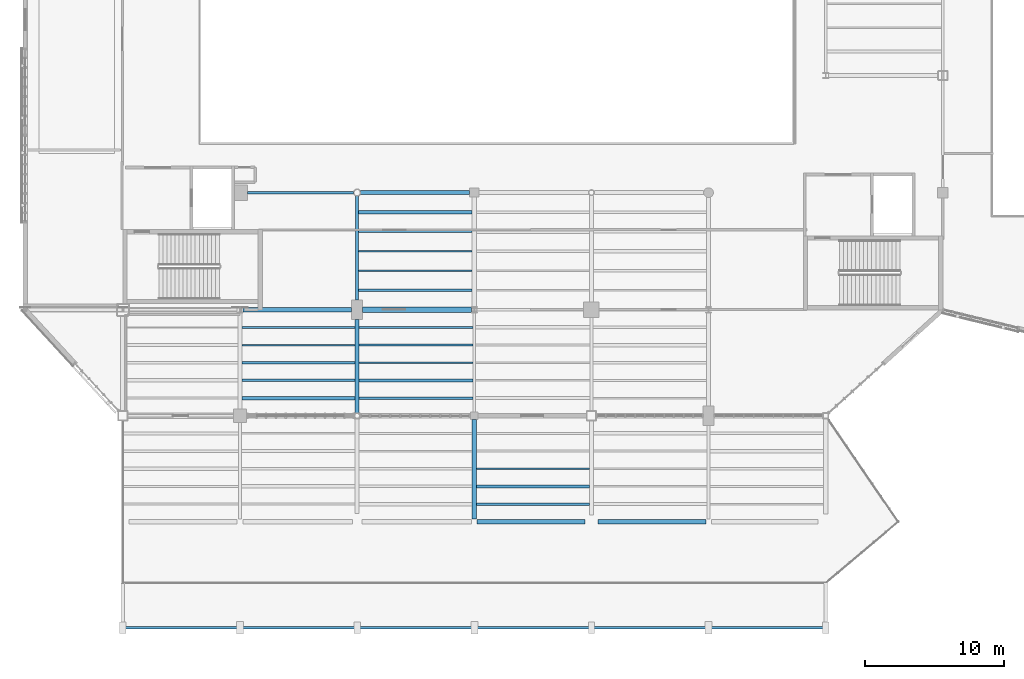
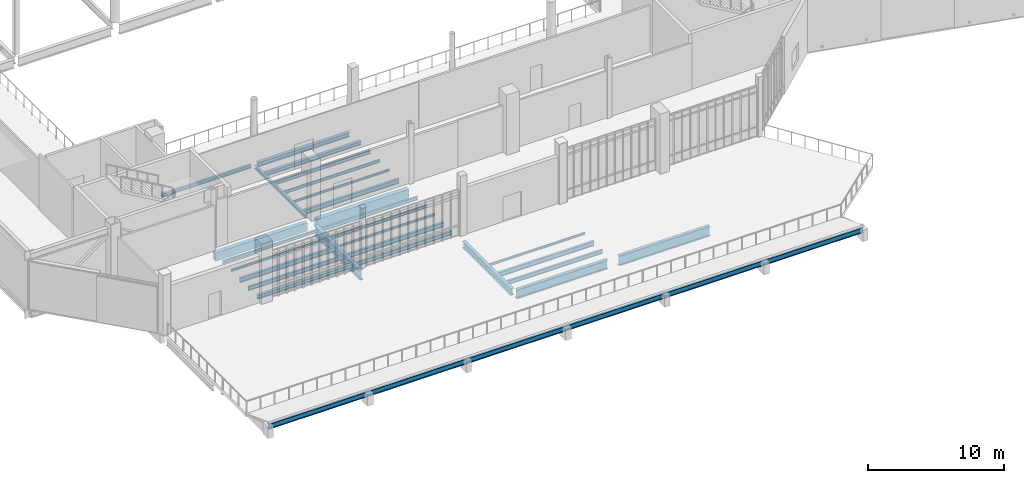
# One storey, part 17 of 127: 28 beams.
"""IFC4 building model written with IfcOpenShell, lengths in metres."""

from ifc_helpers import new_model, si_unit, direction, frame, origin, origin_2d, place, context, subcontext, project, spatial, rectangle, i_section, extrude, material, material_profile, profile_set, type_object, element, save


model = new_model("IFC4")

# Units and contexts
model_context = context("Model", 3, precision=1e-05, world=origin(), true_north=direction((0.0, 1.0)))
body_context = subcontext(model_context, "Body", "Model", "MODEL_VIEW")
ifc_project = project(units=[si_unit("LENGTHUNIT", "METRE"), si_unit("AREAUNIT", "SQUARE_METRE"), si_unit("VOLUMEUNIT", "CUBIC_METRE"), si_unit("PLANEANGLEUNIT", "RADIAN"), si_unit("MASSUNIT", "GRAM", prefix="KILO")], contexts=[model_context])

# Site, building, storey
site_placement = place(None, origin())
site = spatial("IfcSite", under=ifc_project, at=site_placement, CompositionType="ELEMENT")
building_placement = place(site_placement, origin())
building = spatial("IfcBuilding", under=site, at=building_placement, Name="Larkvane Passage Sports Hall", CompositionType="ELEMENT")
storey_placement = place(building_placement, frame((0.0, 0.0, 5.39990234375)))
storey = spatial("IfcBuildingStorey", under=building, at=storey_placement, Name="L01", CompositionType="ELEMENT", Elevation=5.39990234375)

# Beams
ifc_material_1 = material(Name="Steel S355JR", Category="steel")
ifc_material_profile_1 = material_profile(ifc_material_1, i_section(OverallWidth=0.199951171875, OverallDepth=0.2939453125, WebThickness=0.008056640625, FlangeThickness=0.011962890625, FilletRadius=0.012939453125, at=origin_2d()), Name="H-294x200x8x12")
ifc_profile_set_1 = profile_set([ifc_material_profile_1], Name="Steel S355JR")
beam_type_1 = type_object("IfcBeamType", Name="BM-STL-H294", PredefinedType="BEAM", material=ifc_profile_set_1)
beam_1_placement = place(storey_placement, frame((43.75, 31.199951171875, -0.56689453125), z_axis=(1.0, 0.0, 0.0), x_axis=(0.0, 1.0, 0.0)))
element("IfcBeam", 1, at=beam_1_placement, inside=storey, type_object=beam_type_1, Name="Girder BM5-X-L01-E-0391", PredefinedType="BEAM", context=body_context, shape_type="SweptSolid", body=[
    extrude(i_section(OverallWidth=0.199951171875, OverallDepth=0.2939453125, WebThickness=0.008056640625, FlangeThickness=0.011962890625, FilletRadius=0.012939453125, at=origin_2d()), origin(), (0.0, 0.0, 1.0), 7.595947265625),
])
beam_2_placement = place(storey_placement, frame((51.60009765625, 23.5, -0.56689453125), z_axis=(0.0, 1.0, 0.0), x_axis=(-1.0, 0.0, 0.0)))
element("IfcBeam", 2, at=beam_2_placement, inside=storey, type_object=beam_type_1, Name="Girder BM5-Y-L01-8-0456", PredefinedType="BEAM", context=body_context, shape_type="SweptSolid", body=[
    extrude(i_section(OverallWidth=0.199951171875, OverallDepth=0.2939453125, WebThickness=0.008056640625, FlangeThickness=0.011962890625, FilletRadius=0.012939453125, at=origin_2d()), origin(), (0.0, 0.0, 1.0), 7.446044921875),
])
ifc_material_profile_2 = material_profile(ifc_material_1, i_section(OverallWidth=0.300048828125, OverallDepth=0.389892578125, WebThickness=0.010009765625, FlangeThickness=0.01611328125, FilletRadius=0.01806640625, at=origin_2d()), Name="H-390x300x10x16")
ifc_profile_set_2 = profile_set([ifc_material_profile_2], Name="Steel S355JR")
beam_type_2 = type_object("IfcBeamType", Name="BM-STL-H390", PredefinedType="BEAM", material=ifc_profile_set_2)
beam_3_placement = place(storey_placement, frame((51.85400390625, 31.199951171875, -0.614990234375), z_axis=(1.0, 0.0, 0.0), x_axis=(0.0, 1.0, 0.0)))
element("IfcBeam", 3, at=beam_3_placement, inside=storey, type_object=beam_type_2, Name="Girder BM5-X-L01-E-0392", PredefinedType="BEAM", context=body_context, shape_type="SweptSolid", body=[
    extrude(i_section(OverallWidth=0.300048828125, OverallDepth=0.389892578125, WebThickness=0.010009765625, FlangeThickness=0.01611328125, FilletRadius=0.01806640625, at=origin_2d()), origin(), (0.0, 0.0, 1.0), 7.821044921875),
])
ifc_material_2 = material(Name="Steel S460N", Category="steel")
ifc_material_profile_3 = material_profile(ifc_material_2, i_section(OverallWidth=0.300048828125, OverallDepth=0.587890625, WebThickness=0.011962890625, FlangeThickness=0.02001953125, FilletRadius=0.02197265625, at=origin_2d()), Name="H-588x300x12x20")
ifc_profile_set_3 = profile_set([ifc_material_profile_3], Name="Steel S460N")
beam_type_3 = type_object("IfcBeamType", Name="BM-STL-H588", PredefinedType="BEAM", material=ifc_profile_set_3)
beam_4_placement = place(storey_placement, frame((60.0, 7.806884765625, -0.7138671875), z_axis=(0.0, 1.0, 0.0), x_axis=(-1.0, 0.0, 0.0)))
element("IfcBeam", 4, at=beam_4_placement, inside=storey, type_object=beam_type_3, Name="Girder BM5-Y-L01-9-0461", PredefinedType="BEAM", context=body_context, shape_type="SweptSolid", body=[
    extrude(i_section(OverallWidth=0.300048828125, OverallDepth=0.587890625, WebThickness=0.011962890625, FlangeThickness=0.02001953125, FilletRadius=0.02197265625, at=origin_2d()), origin(), (0.0, 0.0, 1.0), 7.1181640625),
])
ifc_material_profile_4 = material_profile(ifc_material_2, i_section(OverallWidth=0.300048828125, OverallDepth=0.800048828125, WebThickness=0.013916015625, FlangeThickness=0.02587890625, FilletRadius=0.02197265625, at=origin_2d()), Name="H-800x300x14x26")
ifc_profile_set_4 = profile_set([ifc_material_profile_4], Name="Steel S460N")
beam_type_4 = type_object("IfcBeamType", Name="BM-STL-H800", PredefinedType="BEAM", material=ifc_profile_set_4)
beam_5_placement = place(storey_placement, frame((60.202392578125, 7.60009765625, -0.81982421875), z_axis=(1.0, 0.0, 0.0), x_axis=(0.0, 1.0, 0.0)))
element("IfcBeam", 5, at=beam_5_placement, inside=storey, type_object=beam_type_4, Name="Girder BM5-X-L01-B-0375", PredefinedType="BEAM", context=body_context, shape_type="SweptSolid", body=[
    extrude(i_section(OverallWidth=0.300048828125, OverallDepth=0.800048828125, WebThickness=0.013916015625, FlangeThickness=0.02587890625, FilletRadius=0.02197265625, at=origin_2d()), origin(), (0.0, 0.0, 1.0), 7.72265625),
])
ifc_material_profile_5 = material_profile(ifc_material_2, i_section(OverallWidth=0.299072265625, OverallDepth=0.889892578125, WebThickness=0.014892578125, FlangeThickness=0.02294921875, FilletRadius=0.02197265625, at=origin_2d()), Name="H-890x299x15x23")
ifc_profile_set_5 = profile_set([ifc_material_profile_5], Name="Steel S460N")
beam_type_5 = type_object("IfcBeamType", Name="BM-STL-H890", PredefinedType="BEAM", material=ifc_profile_set_5)
beam_6_placement = place(storey_placement, frame((68.875, 7.60009765625, -0.864990234375), z_axis=(1.0, 0.0, 0.0), x_axis=(0.0, 1.0, 0.0)))
element("IfcBeam", 6, at=beam_6_placement, inside=storey, type_object=beam_type_5, Name="Girder BM5-X-L01-B-0376", PredefinedType="BEAM", context=body_context, shape_type="SweptSolid", body=[
    extrude(i_section(OverallWidth=0.299072265625, OverallDepth=0.889892578125, WebThickness=0.014892578125, FlangeThickness=0.02294921875, FilletRadius=0.02197265625, at=origin_2d()), origin(), (0.0, 0.0, 1.0), 7.72509765625),
])
ifc_material_profile_6 = material_profile(ifc_material_2, i_section(OverallWidth=0.300048828125, OverallDepth=0.89990234375, WebThickness=0.01611328125, FlangeThickness=0.028076171875, FilletRadius=0.02197265625, at=origin_2d()), Name="H-900x300x16x28")
ifc_profile_set_6 = profile_set([ifc_material_profile_6], Name="Steel S460N")
beam_type_6 = type_object("IfcBeamType", Name="BM-STL-H900", PredefinedType="BEAM", material=ifc_profile_set_6)
beam_7_placement = place(storey_placement, frame((51.60009765625, 15.4033203125, -0.869873046875), z_axis=(0.0, 1.0, 0.0), x_axis=(-1.0, 0.0, 0.0)))
element("IfcBeam", 7, at=beam_7_placement, inside=storey, type_object=beam_type_6, Name="Girder BM5-Y-L01-8-0455", PredefinedType="BEAM", context=body_context, shape_type="SweptSolid", body=[
    extrude(i_section(OverallWidth=0.300048828125, OverallDepth=0.89990234375, WebThickness=0.01611328125, FlangeThickness=0.028076171875, FilletRadius=0.02197265625, at=origin_2d()), origin(), (0.0, 0.0, 1.0), 6.69677734375),
])
ifc_material_profile_7 = material_profile(ifc_material_1, i_section(OverallWidth=0.10009765625, OverallDepth=0.199951171875, WebThickness=0.005615234375, FlangeThickness=0.008056640625, FilletRadius=0.008056640625, at=origin_2d()), Name="H-200x100x5.5x8")
ifc_profile_set_7 = profile_set([ifc_material_profile_7], Name="Steel S355JR")
beam_type_7 = type_object("IfcBeamType", Name="JST-STL-H200", PredefinedType="JOIST", material=ifc_profile_set_7)
beam_8_placement = place(storey_placement, frame((43.35009765625, 20.2666015625, -0.52001953125), z_axis=(1.0, 0.0, 0.0), x_axis=(0.0, 1.0, 0.0)))
element("IfcBeam", 8, at=beam_8_placement, inside=storey, type_object=beam_type_7, Name="Composite joist L01 7/C-4", PredefinedType="JOIST", context=body_context, shape_type="SweptSolid", body=[
    extrude(i_section(OverallWidth=0.10009765625, OverallDepth=0.199951171875, WebThickness=0.005615234375, FlangeThickness=0.008056640625, FilletRadius=0.008056640625, at=origin_2d()), origin(), (0.0, 0.0, 1.0), 8.099853515625),
])
beam_9_placement = place(storey_placement, frame((51.75, 19.0, -0.52001953125), z_axis=(1.0, 0.0, 0.0), x_axis=(0.0, 1.0, 0.0)))
element("IfcBeam", 9, at=beam_9_placement, inside=storey, type_object=beam_type_7, Name="Composite joist L01 8/C-3", PredefinedType="JOIST", context=body_context, shape_type="SweptSolid", body=[
    extrude(i_section(OverallWidth=0.10009765625, OverallDepth=0.199951171875, WebThickness=0.005615234375, FlangeThickness=0.008056640625, FilletRadius=0.008056640625, at=origin_2d()), origin(), (0.0, 0.0, 1.0), 8.14990234375),
])
beam_10_placement = place(storey_placement, frame((51.699951171875, 25.60009765625, -0.52001953125), z_axis=(1.0, 0.0, 0.0), x_axis=(0.0, 1.0, 0.0)))
element("IfcBeam", 10, at=beam_10_placement, inside=storey, type_object=beam_type_7, Name="Composite joist L01 8/D-2", PredefinedType="JOIST", context=body_context, shape_type="SweptSolid", body=[
    extrude(i_section(OverallWidth=0.10009765625, OverallDepth=0.199951171875, WebThickness=0.005615234375, FlangeThickness=0.008056640625, FilletRadius=0.008056640625, at=origin_2d()), origin(), (0.0, 0.0, 1.0), 8.150146484375),
])
beam_11_placement = place(storey_placement, frame((60.14990234375, 11.39990234375, -0.52001953125), z_axis=(1.0, 0.0, 0.0), x_axis=(0.0, 1.0, 0.0)))
element("IfcBeam", 11, at=beam_11_placement, inside=storey, type_object=beam_type_7, Name="Composite joist L01 9/B-3", PredefinedType="JOIST", context=body_context, shape_type="SweptSolid", body=[
    extrude(i_section(OverallWidth=0.10009765625, OverallDepth=0.199951171875, WebThickness=0.005615234375, FlangeThickness=0.008056640625, FilletRadius=0.008056640625, at=origin_2d()), origin(), (0.0, 0.0, 1.0), 8.10009765625),
])
ifc_material_profile_8 = material_profile(ifc_material_1, i_section(OverallWidth=0.125, OverallDepth=0.25, WebThickness=0.006103515625, FlangeThickness=0.009033203125, FilletRadius=0.008056640625, at=origin_2d()), Name="H-250x125x6x9")
ifc_profile_set_8 = profile_set([ifc_material_profile_8], Name="Steel S355JR")
beam_type_8 = type_object("IfcBeamType", Name="JST-STL-H250", PredefinedType="JOIST", material=ifc_profile_set_8)
beam_12_placement = place(storey_placement, frame((43.35009765625, 21.533447265625, -0.544921875), z_axis=(1.0, 0.0, 0.0), x_axis=(0.0, 1.0, 0.0)))
element("IfcBeam", 12, at=beam_12_placement, inside=storey, type_object=beam_type_8, Name="Composite joist L01 7/C-5", PredefinedType="JOIST", context=body_context, shape_type="SweptSolid", body=[
    extrude(i_section(OverallWidth=0.125, OverallDepth=0.25, WebThickness=0.006103515625, FlangeThickness=0.009033203125, FilletRadius=0.008056640625, at=origin_2d()), origin(), (0.0, 0.0, 1.0), 8.099853515625),
])
beam_13_placement = place(storey_placement, frame((51.75, 20.2666015625, -0.544921875), z_axis=(1.0, 0.0, 0.0), x_axis=(0.0, 1.0, 0.0)))
element("IfcBeam", 13, at=beam_13_placement, inside=storey, type_object=beam_type_8, Name="Composite joist L01 8/C-4", PredefinedType="JOIST", context=body_context, shape_type="SweptSolid", body=[
    extrude(i_section(OverallWidth=0.125, OverallDepth=0.25, WebThickness=0.006103515625, FlangeThickness=0.009033203125, FilletRadius=0.008056640625, at=origin_2d()), origin(), (0.0, 0.0, 1.0), 8.14990234375),
])
beam_14_placement = place(storey_placement, frame((51.699951171875, 27.0, -0.544921875), z_axis=(1.0, 0.0, 0.0), x_axis=(0.0, 1.0, 0.0)))
element("IfcBeam", 14, at=beam_14_placement, inside=storey, type_object=beam_type_8, Name="Composite joist L01 8/D-3", PredefinedType="JOIST", context=body_context, shape_type="SweptSolid", body=[
    extrude(i_section(OverallWidth=0.125, OverallDepth=0.25, WebThickness=0.006103515625, FlangeThickness=0.009033203125, FilletRadius=0.008056640625, at=origin_2d()), origin(), (0.0, 0.0, 1.0), 8.150146484375),
])
ifc_material_profile_9 = material_profile(ifc_material_1, i_section(OverallWidth=0.14990234375, OverallDepth=0.300048828125, WebThickness=0.006591796875, FlangeThickness=0.009033203125, FilletRadius=0.012939453125, at=origin_2d()), Name="H-300x150x6.5x9")
ifc_profile_set_9 = profile_set([ifc_material_profile_9], Name="Steel S355JR")
beam_type_9 = type_object("IfcBeamType", Name="JST-STL-H300", PredefinedType="JOIST", material=ifc_profile_set_9)
beam_15_placement = place(storey_placement, frame((51.75, 21.533447265625, -0.56982421875), z_axis=(1.0, 0.0, 0.0), x_axis=(0.0, 1.0, 0.0)))
element("IfcBeam", 15, at=beam_15_placement, inside=storey, type_object=beam_type_9, Name="Composite joist L01 8/C-5", PredefinedType="JOIST", context=body_context, shape_type="SweptSolid", body=[
    extrude(i_section(OverallWidth=0.14990234375, OverallDepth=0.300048828125, WebThickness=0.006591796875, FlangeThickness=0.009033203125, FilletRadius=0.012939453125, at=origin_2d()), origin(), (0.0, 0.0, 1.0), 8.14990234375),
])
beam_16_placement = place(storey_placement, frame((51.699951171875, 28.39990234375, -0.56982421875), z_axis=(1.0, 0.0, 0.0), x_axis=(0.0, 1.0, 0.0)))
element("IfcBeam", 16, at=beam_16_placement, inside=storey, type_object=beam_type_9, Name="Composite joist L01 8/D-4", PredefinedType="JOIST", context=body_context, shape_type="SweptSolid", body=[
    extrude(i_section(OverallWidth=0.14990234375, OverallDepth=0.300048828125, WebThickness=0.006591796875, FlangeThickness=0.009033203125, FilletRadius=0.012939453125, at=origin_2d()), origin(), (0.0, 0.0, 1.0), 8.150146484375),
])
ifc_material_profile_10 = material_profile(ifc_material_1, i_section(OverallWidth=0.25, OverallDepth=0.340087890625, WebThickness=0.009033203125, FlangeThickness=0.013916015625, FilletRadius=0.012939453125, at=origin_2d()), Name="H-340x250x9x14")
ifc_profile_set_10 = profile_set([ifc_material_profile_10], Name="Steel S355JR")
beam_type_10 = type_object("IfcBeamType", Name="JST-STL-H340", PredefinedType="JOIST", material=ifc_profile_set_10)
beam_17_placement = place(storey_placement, frame((43.35009765625, 16.466552734375, -0.58984375), z_axis=(1.0, 0.0, 0.0), x_axis=(0.0, 1.0, 0.0)))
element("IfcBeam", 17, at=beam_17_placement, inside=storey, type_object=beam_type_10, Name="Composite joist L01 7/C-1", PredefinedType="JOIST", context=body_context, shape_type="SweptSolid", body=[
    extrude(i_section(OverallWidth=0.25, OverallDepth=0.340087890625, WebThickness=0.009033203125, FlangeThickness=0.013916015625, FilletRadius=0.012939453125, at=origin_2d()), origin(), (0.0, 0.0, 1.0), 8.099853515625),
])
beam_18_placement = place(storey_placement, frame((51.699951171875, 29.800048828125, -0.58984375), z_axis=(1.0, 0.0, 0.0), x_axis=(0.0, 1.0, 0.0)))
element("IfcBeam", 18, at=beam_18_placement, inside=storey, type_object=beam_type_10, Name="Composite joist L01 8/D-5", PredefinedType="JOIST", context=body_context, shape_type="SweptSolid", body=[
    extrude(i_section(OverallWidth=0.25, OverallDepth=0.340087890625, WebThickness=0.009033203125, FlangeThickness=0.013916015625, FilletRadius=0.012939453125, at=origin_2d()), origin(), (0.0, 0.0, 1.0), 8.150146484375),
])
ifc_material_profile_11 = material_profile(ifc_material_1, i_section(OverallWidth=0.175048828125, OverallDepth=0.35009765625, WebThickness=0.007080078125, FlangeThickness=0.010986328125, FilletRadius=0.012939453125, at=origin_2d()), Name="H-350x175x7x11")
ifc_profile_set_11 = profile_set([ifc_material_profile_11], Name="Steel S355JR")
beam_type_11 = type_object("IfcBeamType", Name="JST-STL-H350", PredefinedType="JOIST", material=ifc_profile_set_11)
beam_19_placement = place(storey_placement, frame((43.35009765625, 17.7333984375, -0.594970703125), z_axis=(1.0, 0.0, 0.0), x_axis=(0.0, 1.0, 0.0)))
element("IfcBeam", 19, at=beam_19_placement, inside=storey, type_object=beam_type_11, Name="Composite joist L01 7/C-2", PredefinedType="JOIST", context=body_context, shape_type="SweptSolid", body=[
    extrude(i_section(OverallWidth=0.175048828125, OverallDepth=0.35009765625, WebThickness=0.007080078125, FlangeThickness=0.010986328125, FilletRadius=0.012939453125, at=origin_2d()), origin(), (0.0, 0.0, 1.0), 8.099853515625),
])
beam_20_placement = place(storey_placement, frame((51.75, 16.466552734375, -0.594970703125), z_axis=(1.0, 0.0, 0.0), x_axis=(0.0, 1.0, 0.0)))
element("IfcBeam", 20, at=beam_20_placement, inside=storey, type_object=beam_type_11, Name="Composite joist L01 8/C-1", PredefinedType="JOIST", context=body_context, shape_type="SweptSolid", body=[
    extrude(i_section(OverallWidth=0.175048828125, OverallDepth=0.35009765625, WebThickness=0.007080078125, FlangeThickness=0.010986328125, FilletRadius=0.012939453125, at=origin_2d()), origin(), (0.0, 0.0, 1.0), 8.14990234375),
])
beam_21_placement = place(storey_placement, frame((60.14990234375, 8.86669921875, -0.594970703125), z_axis=(1.0, 0.0, 0.0), x_axis=(0.0, 1.0, 0.0)))
element("IfcBeam", 21, at=beam_21_placement, inside=storey, type_object=beam_type_11, Name="Composite joist L01 9/B-1", PredefinedType="JOIST", context=body_context, shape_type="SweptSolid", body=[
    extrude(i_section(OverallWidth=0.175048828125, OverallDepth=0.35009765625, WebThickness=0.007080078125, FlangeThickness=0.010986328125, FilletRadius=0.012939453125, at=origin_2d()), origin(), (0.0, 0.0, 1.0), 8.10009765625),
])
ifc_material_profile_12 = material_profile(ifc_material_1, i_section(OverallWidth=0.199951171875, OverallDepth=0.39990234375, WebThickness=0.008056640625, FlangeThickness=0.012939453125, FilletRadius=0.012939453125, at=origin_2d()), Name="H-400x200x8x13")
ifc_profile_set_12 = profile_set([ifc_material_profile_12], Name="Steel S355JR")
beam_type_12 = type_object("IfcBeamType", Name="JST-STL-H400", PredefinedType="JOIST", material=ifc_profile_set_12)
beam_22_placement = place(storey_placement, frame((43.35009765625, 19.0, -0.619873046875), z_axis=(1.0, 0.0, 0.0), x_axis=(0.0, 1.0, 0.0)))
element("IfcBeam", 22, at=beam_22_placement, inside=storey, type_object=beam_type_12, Name="Composite joist L01 7/C-3", PredefinedType="JOIST", context=body_context, shape_type="SweptSolid", body=[
    extrude(i_section(OverallWidth=0.199951171875, OverallDepth=0.39990234375, WebThickness=0.008056640625, FlangeThickness=0.012939453125, FilletRadius=0.012939453125, at=origin_2d()), origin(), (0.0, 0.0, 1.0), 8.099853515625),
])
beam_23_placement = place(storey_placement, frame((51.75, 17.7333984375, -0.619873046875), z_axis=(1.0, 0.0, 0.0), x_axis=(0.0, 1.0, 0.0)))
element("IfcBeam", 23, at=beam_23_placement, inside=storey, type_object=beam_type_12, Name="Composite joist L01 8/C-2", PredefinedType="JOIST", context=body_context, shape_type="SweptSolid", body=[
    extrude(i_section(OverallWidth=0.199951171875, OverallDepth=0.39990234375, WebThickness=0.008056640625, FlangeThickness=0.012939453125, FilletRadius=0.012939453125, at=origin_2d()), origin(), (0.0, 0.0, 1.0), 8.14990234375),
])
beam_24_placement = place(storey_placement, frame((51.699951171875, 24.199951171875, -0.619873046875), z_axis=(1.0, 0.0, 0.0), x_axis=(0.0, 1.0, 0.0)))
element("IfcBeam", 24, at=beam_24_placement, inside=storey, type_object=beam_type_12, Name="Composite joist L01 8/D-1", PredefinedType="JOIST", context=body_context, shape_type="SweptSolid", body=[
    extrude(i_section(OverallWidth=0.199951171875, OverallDepth=0.39990234375, WebThickness=0.008056640625, FlangeThickness=0.012939453125, FilletRadius=0.012939453125, at=origin_2d()), origin(), (0.0, 0.0, 1.0), 8.150146484375),
])
beam_25_placement = place(storey_placement, frame((60.14990234375, 10.13330078125, -0.619873046875), z_axis=(1.0, 0.0, 0.0), x_axis=(0.0, 1.0, 0.0)))
element("IfcBeam", 25, at=beam_25_placement, inside=storey, type_object=beam_type_12, Name="Composite joist L01 9/B-2", PredefinedType="JOIST", context=body_context, shape_type="SweptSolid", body=[
    extrude(i_section(OverallWidth=0.199951171875, OverallDepth=0.39990234375, WebThickness=0.008056640625, FlangeThickness=0.012939453125, FilletRadius=0.012939453125, at=origin_2d()), origin(), (0.0, 0.0, 1.0), 8.10009765625),
])
ifc_material_3 = material(Name="Concrete C40/50", Category="concrete")
ifc_material_profile_13 = material_profile(ifc_material_3, rectangle(XDim=0.35009765625, YDim=0.75, at=origin_2d()), Name="RC-SP-350x750")
ifc_profile_set_13 = profile_set([ifc_material_profile_13], Name="Concrete C40/50")
beam_type_13 = type_object("IfcBeamType", Name="SP-RC-350x750", PredefinedType="SPANDREL", material=ifc_profile_set_13)
beam_26_placement = place(storey_placement, frame((43.408447265625, 22.800048828125, -0.794921875), z_axis=(1.0, 0.0, 0.0), x_axis=(0.0, 1.0, 0.0)))
element("IfcBeam", 26, at=beam_26_placement, inside=storey, type_object=beam_type_13, Name="Girder BM5-X-L01-D-0385", PredefinedType="SPANDREL", context=body_context, shape_type="SweptSolid", body=[
    extrude(rectangle(XDim=0.35009765625, YDim=0.75, at=origin_2d()), origin(), (0.0, 0.0, 1.0), 7.79150390625),
])
ifc_material_profile_14 = material_profile(ifc_material_3, rectangle(XDim=0.39990234375, YDim=0.85009765625, at=origin_2d()), Name="RC-SP-400x850")
ifc_profile_set_14 = profile_set([ifc_material_profile_14], Name="Concrete C40/50")
beam_type_14 = type_object("IfcBeamType", Name="SP-RC-400x850", PredefinedType="SPANDREL", material=ifc_profile_set_14)
beam_27_placement = place(storey_placement, frame((52.0, 22.800048828125, -0.844970703125), z_axis=(1.0, 0.0, 0.0), x_axis=(0.0, 1.0, 0.0)))
element("IfcBeam", 27, at=beam_27_placement, inside=storey, type_object=beam_type_14, Name="Girder BM5-X-L01-D-0386", PredefinedType="SPANDREL", context=body_context, shape_type="SweptSolid", body=[
    extrude(rectangle(XDim=0.39990234375, YDim=0.85009765625, at=origin_2d()), origin(), (0.0, 0.0, 1.0), 7.79638671875),
])
ifc_material_profile_15 = material_profile(ifc_material_1, i_section(OverallWidth=0.199951171875, OverallDepth=0.449951171875, WebThickness=0.009033203125, FlangeThickness=0.013916015625, FilletRadius=0.01806640625, at=origin_2d()), Name="H-450x200x9x14")
ifc_profile_set_15 = profile_set([ifc_material_profile_15], Name="Steel S355JR")
beam_type_15 = type_object("IfcBeamType", Name="SP-STL-H450", PredefinedType="SPANDREL", material=ifc_profile_set_15)
beam_28_placement = place(storey_placement, frame((34.800048828125, 0.0, 0.780029296875), z_axis=(1.0, 0.0, 0.0), x_axis=(0.0, 1.0, 0.0)))
element("IfcBeam", 28, at=beam_28_placement, inside=storey, type_object=beam_type_15, Name="Monsoon arcade front eave beam", PredefinedType="SPANDREL", context=body_context, shape_type="SweptSolid", body=[
    extrude(i_section(OverallWidth=0.199951171875, OverallDepth=0.449951171875, WebThickness=0.009033203125, FlangeThickness=0.013916015625, FilletRadius=0.01806640625, at=origin_2d()), origin(), (0.0, 0.0, 1.0), 50.39990234375),
])

save(model, "model.ifc")
